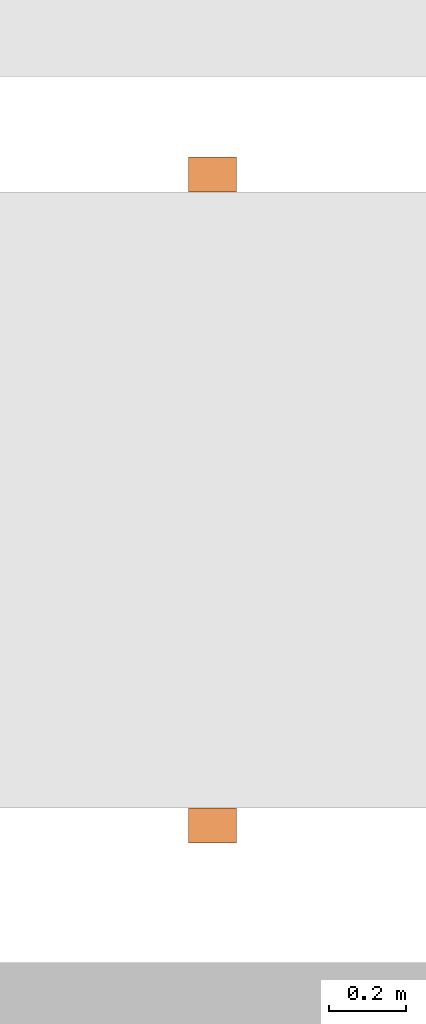
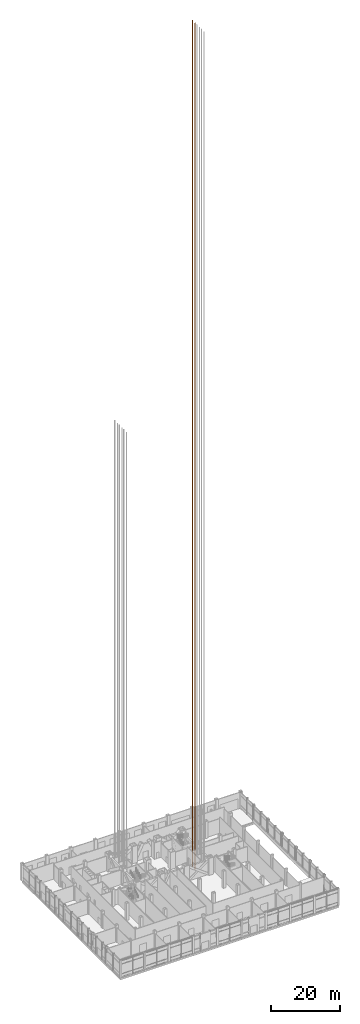
# One storey, part 35 of 35: 1 proxy.
"""IFC4 building model written with IfcOpenShell, lengths in metres."""

from ifc_helpers import new_model, si_unit, direction, frame, origin, origin_2d, place, context, subcontext, project, spatial, rectangle, extrude, material, element, save


model = new_model("IFC4")

# Units and contexts
model_context = context("Model", 3, precision=1e-05, world=origin(), true_north=direction((0.0, 1.0)))
body_context = subcontext(model_context, "Body", "Model", "MODEL_VIEW")
ifc_project = project(units=[si_unit("LENGTHUNIT", "METRE"), si_unit("AREAUNIT", "SQUARE_METRE"), si_unit("VOLUMEUNIT", "CUBIC_METRE"), si_unit("PLANEANGLEUNIT", "RADIAN"), si_unit("MASSUNIT", "GRAM", prefix="KILO")], contexts=[model_context])

# Site, building, storey
site_placement = place(None, origin())
site = spatial("IfcSite", under=ifc_project, at=site_placement, CompositionType="ELEMENT")
building_placement = place(site_placement, origin())
building = spatial("IfcBuilding", under=site, at=building_placement, Name="Kopane Lantern Tower", CompositionType="ELEMENT")
storey_placement = place(building_placement, origin())
storey = spatial("IfcBuildingStorey", under=building, at=storey_placement, Name="L00", CompositionType="ELEMENT", Elevation=0.0)

# Proxy
ifc_material = material(Name="Steel S355JR", Category="steel")
proxy_placement = place(storey_placement, frame((38.949951171875, 30.949951171875, -1.5), z_axis=(0.0, 0.0, 1.0), x_axis=(1.0, 0.0, 0.0)))
element("IfcBuildingElementProxy", 1, at=proxy_placement, inside=storey, material=ifc_material, Name="Lift guide rail frame LR3", ObjectType="LIFT GUIDE RAIL FRAME", PredefinedType="USERDEFINED", context=body_context, shape_type="SweptSolid", body=[
    extrude(rectangle(XDim=0.125, YDim=0.090087890625, at=origin_2d()), frame((0.0, -0.844970703125, 0.0)), (0.0, 0.0, 1.0), 298.60009765625),
    extrude(rectangle(XDim=0.125, YDim=0.090087890625, at=origin_2d()), frame((0.0, 0.844970703125, 0.0)), (0.0, 0.0, 1.0), 298.60009765625),
])

save(model, "model.ifc")
